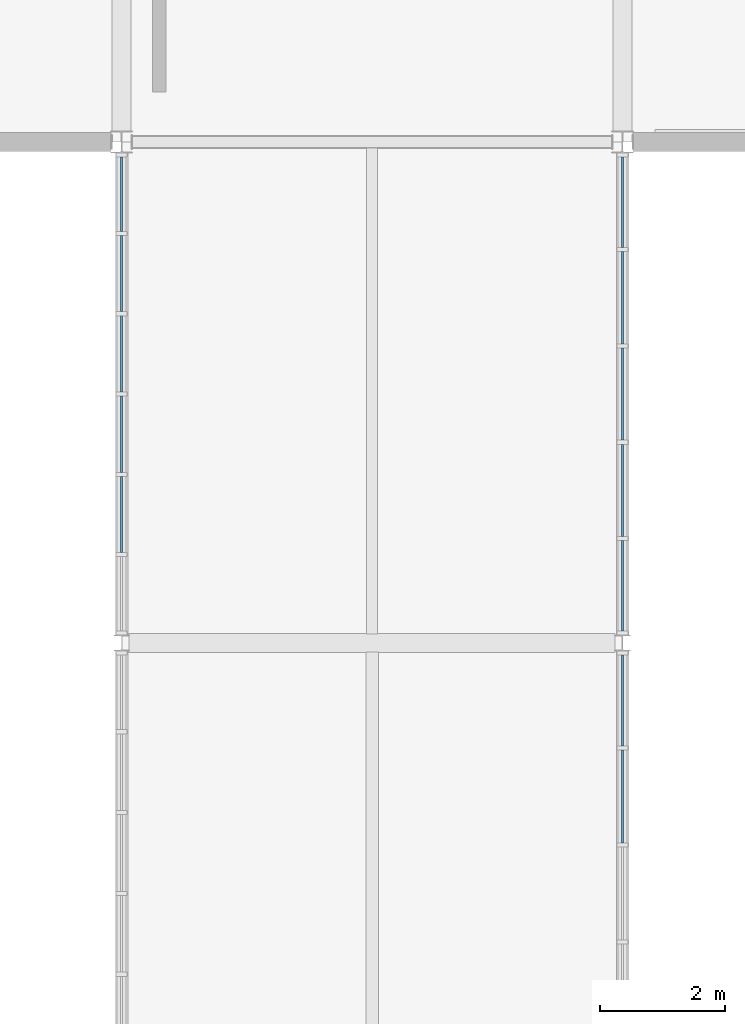
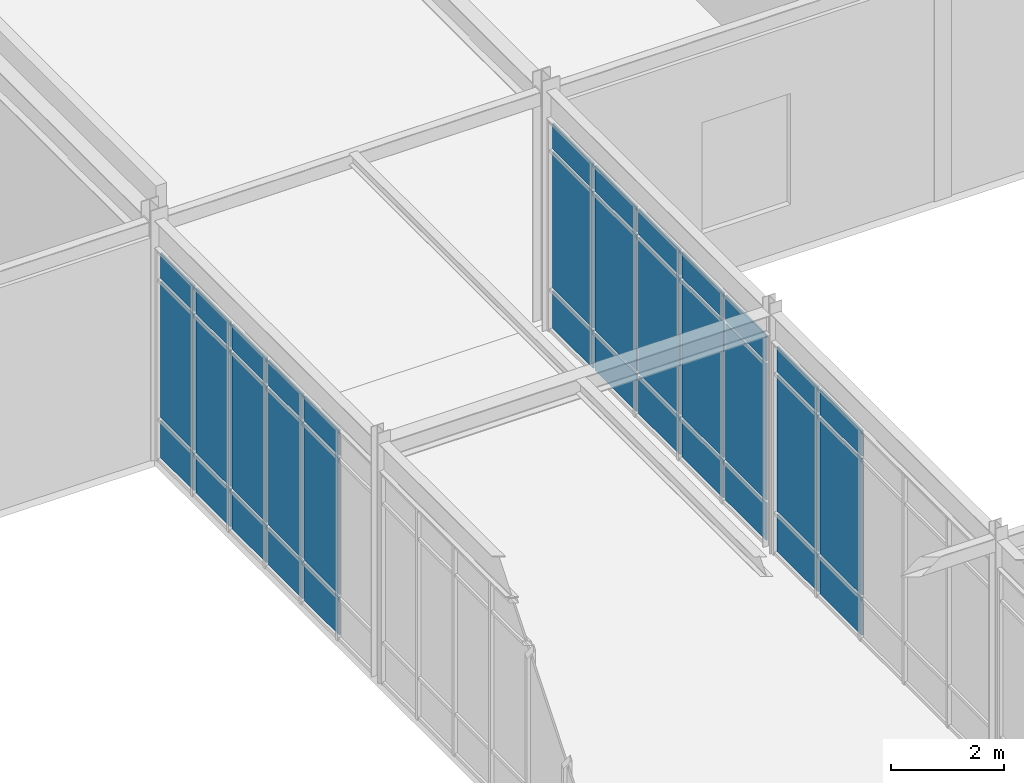
# One storey, part 95 of 184: 36 plates, 3 elements without a shape of their own.
"""IFC4 building model written with IfcOpenShell, lengths in metres."""

import ifcopenshell
import ifcopenshell.guid

model = None  # the IFC model being written
_history = None  # IfcOwnerHistory: only IFC2X3 demands one
_inside = {}  # id of a spatial element -> (the spatial element, [elements in it])
_under = {}  # id of a project, library or spatial element -> (it, [spatial elements below it])
_declared = {}  # id of a project -> (the project, [libraries it declares])
_typed = {}  # id of a type object -> (the type object, [elements of that type])
_made_of = {}  # id of a material, layer set ... -> (it, [elements and type objects made of it])


def new_model(schema):
    """Start an empty IFC model of exactly this schema.

    Asked for "IFC4X3", IfcOpenShell would pick the latest addendum, in which some entities
    have other attributes; the version numbers below select the first issue.
    IFC2X3 requires an IfcOwnerHistory on every rooted entity: one is made here for all.
    """
    global model, _history
    if schema == "IFC4X3":
        model = ifcopenshell.file(schema_version=(4, 3, 0, 0))
    else:
        model = ifcopenshell.file(schema=schema)
    _inside.clear()
    _under.clear()
    _declared.clear()
    _typed.clear()
    _made_of.clear()
    _history = None
    if model.schema == "IFC2X3":
        org = make("IfcOrganization", Name="unknown")
        user = make(
            "IfcPersonAndOrganization",
            ThePerson=make("IfcPerson", FamilyName="unknown"),
            TheOrganization=org,
        )
        app = make(
            "IfcApplication",
            ApplicationDeveloper=org,
            Version="unknown",
            ApplicationFullName="unknown",
            ApplicationIdentifier="unknown",
        )
        _history = make(
            "IfcOwnerHistory",
            OwningUser=user,
            OwningApplication=app,
            ChangeAction="ADDED",
            CreationDate=0,
        )
    return model


def make(cls, **values):
    """One entity of the class cls with the attributes given. An attribute that is None is left unset."""
    return model.create_entity(
        cls, **{name: value for name, value in values.items() if value is not None}
    )


def rooted(cls, **values):
    """An entity with a GlobalId (a new one), such as an element, a storey or a relation."""
    return make(cls, GlobalId=ifcopenshell.guid.new(), OwnerHistory=_history, **values)


def si_unit(unit_type, name, prefix=None):
    """IfcSIUnit, for example si_unit("LENGTHUNIT", "METRE", prefix="MILLI")."""
    return make("IfcSIUnit", UnitType=unit_type, Prefix=prefix, Name=name)


def assignment(units):
    """IfcUnitAssignment: the units of a project."""
    return None if units is None else make("IfcUnitAssignment", Units=units)


def point(xyz):
    """IfcCartesianPoint."""
    return None if xyz is None else make("IfcCartesianPoint", Coordinates=xyz)


def direction(xyz):
    """IfcDirection."""
    return None if xyz is None else make("IfcDirection", DirectionRatios=xyz)


def frame(location, z_axis=None, x_axis=None):
    """IfcAxis2Placement3D, a coordinate frame: its origin and axes. An axis left out is left unset."""
    return make(
        "IfcAxis2Placement3D",
        Location=point(location),
        Axis=direction(z_axis),
        RefDirection=direction(x_axis),
    )


def frame_2d(location, x_axis=None):
    """IfcAxis2Placement2D, a coordinate frame in the plane: its origin and x axis."""
    return make(
        "IfcAxis2Placement2D", Location=point(location), RefDirection=direction(x_axis)
    )


def origin():
    """The frame at (0, 0, 0) with its axes left unset."""
    return frame((0.0, 0.0, 0.0))


def origin_2d():
    """The frame at (0, 0) in the plane with its x axis left unset."""
    return frame_2d((0.0, 0.0))


def place(relative_to, where):
    """IfcLocalPlacement: puts the frame where relative to a parent placement (None: the world)."""
    return make(
        "IfcLocalPlacement", PlacementRelTo=relative_to, RelativePlacement=where
    )


def context(
    kind, dimensions, precision=None, world=None, true_north=None, identifier=None
):
    """IfcGeometricRepresentationContext, for example the 3D "Model" context."""
    return make(
        "IfcGeometricRepresentationContext",
        ContextIdentifier=identifier,
        ContextType=kind,
        CoordinateSpaceDimension=dimensions,
        Precision=precision,
        WorldCoordinateSystem=world,
        TrueNorth=true_north,
    )


def subcontext(parent, identifier, kind, view, scale=None):
    """IfcGeometricRepresentationSubContext, for example "Body" below "Model"."""
    return make(
        "IfcGeometricRepresentationSubContext",
        ContextIdentifier=identifier,
        ContextType=kind,
        ParentContext=parent,
        TargetScale=scale,
        TargetView=view,
    )


def project(units=None, contexts=None):
    """IfcProject with its units and contexts."""
    return rooted(
        "IfcProject",
        Name="project",
        RepresentationContexts=contexts,
        UnitsInContext=assignment(units),
    )


def spatial(cls, under=None, at=None, **own):
    """A site, building, storey or space (cls), placed at a placement, below another one or the project."""
    s = rooted(cls, ObjectPlacement=at, **own)
    if under is not None:
        _under.setdefault(under.id(), (under, []))[1].append(s)
    return s


def profile(cls, at=None, kind="AREA", **sizes):
    """A parametric profile (cls). Its sizes go by their IFC names, for example OverallWidth=200.0."""
    return make(cls, ProfileType=kind, Position=at, **sizes)


def rectangle(**sizes):
    """IfcRectangleProfileDef."""
    return profile("IfcRectangleProfileDef", **sizes)


def extrude(swept, where, along, depth):
    """IfcExtrudedAreaSolid: the profile swept, set in the frame where, extruded along a direction by depth."""
    return make(
        "IfcExtrudedAreaSolid",
        SweptArea=swept,
        Position=where,
        ExtrudedDirection=direction(along),
        Depth=depth,
    )


def shape(context_of_items, identifier, shape_type, items):
    """IfcShapeRepresentation: the items that make up one representation, for example the "Body"."""
    return make(
        "IfcShapeRepresentation",
        ContextOfItems=context_of_items,
        RepresentationIdentifier=identifier,
        RepresentationType=shape_type,
        Items=items,
    )


def material(Name=None, Category=None):
    """IfcMaterial."""
    return make("IfcMaterial", Name=Name, Category=Category)


def layer(
    of_material, thickness, ventilated=None, Name=None, Category=None, Priority=None
):
    """IfcMaterialLayer: one layer of a wall or slab, of a material (None: an air gap)."""
    return make(
        "IfcMaterialLayer",
        Material=of_material,
        LayerThickness=thickness,
        IsVentilated=ventilated,
        Name=Name,
        Category=Category,
        Priority=Priority,
    )


def layer_set(layers, Name=None):
    """IfcMaterialLayerSet."""
    return make("IfcMaterialLayerSet", MaterialLayers=layers, LayerSetName=Name)


def made_of(thing, what):
    """Note that an element or type object is made of a material, layer set ...; save() writes the relation."""
    if what is not None:
        _made_of.setdefault(what.id(), (what, []))[1].append(thing)
    return thing


def type_object(cls, material=None, **own):
    """A type object (cls), such as IfcWallType, which elements share."""
    return made_of(rooted(cls, **own), material)


def element(
    cls,
    number,
    at=None,
    inside=None,
    cuts=None,
    type_object=None,
    material=None,
    context=None,
    identifier="Body",
    shape_type=None,
    held_by="IfcProductDefinitionShape",
    body=None,
    shapes=None,
    **own,
):
    """One element of the class cls, such as IfcWall. Its Tag is "e" and its number.

    at: its placement. inside: the storey or other place that contains it. cuts: it is an
    opening in that element (IfcRelVoidsElement). A single representation is given by context,
    identifier, shape_type and body (its items); several are given by shapes. held_by: the class
    of the entity that holds the representations. save() writes the other relations.
    """
    e = rooted(cls, Tag="e%d" % number, ObjectPlacement=at, **own)
    if body is not None:
        shapes = [shape(context, identifier, shape_type, body)]
    if shapes is not None:
        e.Representation = make(held_by, Representations=shapes)
    if inside is not None:
        _inside.setdefault(inside.id(), (inside, []))[1].append(e)
    if cuts is not None:
        rooted(
            "IfcRelVoidsElement", RelatingBuildingElement=cuts, RelatedOpeningElement=e
        )
    if type_object is not None:
        _typed.setdefault(type_object.id(), (type_object, []))[1].append(e)
    return made_of(e, material)


def aggregate(whole, parts):
    """IfcRelAggregates: a whole, such as a stair, and the parts it consists of."""
    return rooted("IfcRelAggregates", RelatingObject=whole, RelatedObjects=parts)


def save(model, path):
    """Write the relations noted so far, then the file.

    IfcRelAggregates (storeys below a building ...), IfcRelContainedInSpatialStructure (elements
    in a storey), IfcRelDefinesByType, IfcRelAssociatesMaterial and IfcRelDeclares: one each for
    every whole, place, type object, material and project.
    """
    for whole, parts in _under.values():
        aggregate(whole, parts)
    for where, things in _inside.values():
        rooted(
            "IfcRelContainedInSpatialStructure",
            RelatedElements=things,
            RelatingStructure=where,
        )
    for kind, things in _typed.values():
        rooted("IfcRelDefinesByType", RelatedObjects=things, RelatingType=kind)
    for what, things in _made_of.values():
        rooted("IfcRelAssociatesMaterial", RelatedObjects=things, RelatingMaterial=what)
    for by, libraries in _declared.values():
        rooted("IfcRelDeclares", RelatingContext=by, RelatedDefinitions=libraries)
    model.write(path)


model = new_model("IFC4")

# Units and contexts
model_context = context("Model", 3, precision=1e-05, world=origin(), true_north=direction((0.0, 1.0)))
body_context = subcontext(model_context, "Body", "Model", "MODEL_VIEW")
ifc_project = project(units=[si_unit("LENGTHUNIT", "METRE"), si_unit("AREAUNIT", "SQUARE_METRE"), si_unit("VOLUMEUNIT", "CUBIC_METRE"), si_unit("PLANEANGLEUNIT", "RADIAN"), si_unit("MASSUNIT", "GRAM", prefix="KILO")], contexts=[model_context])

# Site, building, storey
site_placement = place(None, origin())
site = spatial("IfcSite", under=ifc_project, at=site_placement, CompositionType="ELEMENT")
building_placement = place(site_placement, origin())
building = spatial("IfcBuilding", under=site, at=building_placement, Name="Zhaolan Boulevard Law Courts", CompositionType="ELEMENT")
storey_placement = place(building_placement, frame((0.0, 0.0, 5.39990234375)))
storey = spatial("IfcBuildingStorey", under=building, at=storey_placement, Name="L01", CompositionType="ELEMENT", Elevation=5.39990234375)

# Curtain wall, plates
ifc_material_1 = material(Name="Thermally broken aluminium and low-E glazing", Category="aluminium")
curtain_wall_type_1 = type_object("IfcCurtainWallType", Name="CURTAIN WALL M5", PredefinedType="USERDEFINED", material=ifc_material_1)
curtain_wall_1_placement = place(storey_placement, origin())
curtain_wall_1 = element("IfcCurtainWall", 1, at=curtain_wall_1_placement, inside=storey, type_object=curtain_wall_type_1, Name="Curtain Wall CW-L01-077", ObjectType="CURTAIN WALL", PredefinedType="USERDEFINED")
ifc_material_2 = material(Name="Acoustic laminated low-E glazing", Category="glass")
ifc_layer = layer(ifc_material_2, 0.031982421875)
ifc_layer_set = layer_set([ifc_layer])
plate_type = type_object("IfcPlateType", Name="CWPANEL LOW E32", PredefinedType="CURTAIN_PANEL", material=ifc_layer_set)
plate_1_placement = place(storey_placement, frame((116.0, 61.16552734375, 0.06494140625), z_axis=(0.0, 0.0, 1.0), x_axis=(0.0, -1.0, 0.0)))
plate_1 = element("IfcPlate", 2, at=plate_1_placement, type_object=plate_type, Name="CW-L01-077 panel 1.1", PredefinedType="CURTAIN_PANEL", context=body_context, shape_type="SweptSolid", body=[
    extrude(rectangle(XDim=1.18505859375, YDim=0.031982421875, at=origin_2d()), origin(), (0.0, 0.0, 1.0), 0.802490234375),
])
plate_2_placement = place(storey_placement, frame((116.0, 61.16552734375, 0.9326171875), z_axis=(0.0, 0.0, 1.0), x_axis=(0.0, -1.0, 0.0)))
plate_2 = element("IfcPlate", 3, at=plate_2_placement, type_object=plate_type, Name="CW-L01-077 panel 1.2", PredefinedType="CURTAIN_PANEL", context=body_context, shape_type="SweptSolid", body=[
    extrude(rectangle(XDim=1.18505859375, YDim=0.031982421875, at=origin_2d()), origin(), (0.0, 0.0, 1.0), 2.93798828125),
])
plate_3_placement = place(storey_placement, frame((116.0, 61.16552734375, 3.935546875), z_axis=(0.0, 0.0, 1.0), x_axis=(0.0, -1.0, 0.0)))
plate_3 = element("IfcPlate", 4, at=plate_3_placement, type_object=plate_type, Name="CW-L01-077 panel 1.3", PredefinedType="CURTAIN_PANEL", context=body_context, shape_type="SweptSolid", body=[
    extrude(rectangle(XDim=1.18505859375, YDim=0.031982421875, at=origin_2d()), origin(), (0.0, 0.0, 1.0), 0.552490234375),
])
plate_4_placement = place(storey_placement, frame((116.0, 59.89892578125, 0.06494140625), z_axis=(0.0, 0.0, 1.0), x_axis=(0.0, -1.0, 0.0)))
plate_4 = element("IfcPlate", 5, at=plate_4_placement, type_object=plate_type, Name="CW-L01-077 panel 2.1", PredefinedType="CURTAIN_PANEL", context=body_context, shape_type="SweptSolid", body=[
    extrude(rectangle(XDim=1.2177734375, YDim=0.031982421875, at=origin_2d()), origin(), (0.0, 0.0, 1.0), 0.802490234375),
])
plate_5_placement = place(storey_placement, frame((116.0, 59.89892578125, 0.9326171875), z_axis=(0.0, 0.0, 1.0), x_axis=(0.0, -1.0, 0.0)))
plate_5 = element("IfcPlate", 6, at=plate_5_placement, type_object=plate_type, Name="CW-L01-077 panel 2.2", PredefinedType="CURTAIN_PANEL", context=body_context, shape_type="SweptSolid", body=[
    extrude(rectangle(XDim=1.2177734375, YDim=0.031982421875, at=origin_2d()), origin(), (0.0, 0.0, 1.0), 2.93798828125),
])
plate_6_placement = place(storey_placement, frame((116.0, 59.89892578125, 3.935546875), z_axis=(0.0, 0.0, 1.0), x_axis=(0.0, -1.0, 0.0)))
plate_6 = element("IfcPlate", 7, at=plate_6_placement, type_object=plate_type, Name="CW-L01-077 panel 2.3", PredefinedType="CURTAIN_PANEL", context=body_context, shape_type="SweptSolid", body=[
    extrude(rectangle(XDim=1.2177734375, YDim=0.031982421875, at=origin_2d()), origin(), (0.0, 0.0, 1.0), 0.552490234375),
])
plate_7_placement = place(storey_placement, frame((116.0, 58.616455078125, 0.06494140625), z_axis=(0.0, 0.0, 1.0), x_axis=(0.0, -1.0, 0.0)))
plate_7 = element("IfcPlate", 8, at=plate_7_placement, type_object=plate_type, Name="CW-L01-077 panel 3.1", PredefinedType="CURTAIN_PANEL", context=body_context, shape_type="SweptSolid", body=[
    extrude(rectangle(XDim=1.2177734375, YDim=0.031982421875, at=origin_2d()), origin(), (0.0, 0.0, 1.0), 0.802490234375),
])
plate_8_placement = place(storey_placement, frame((116.0, 58.616455078125, 0.9326171875), z_axis=(0.0, 0.0, 1.0), x_axis=(0.0, -1.0, 0.0)))
plate_8 = element("IfcPlate", 9, at=plate_8_placement, type_object=plate_type, Name="CW-L01-077 panel 3.2", PredefinedType="CURTAIN_PANEL", context=body_context, shape_type="SweptSolid", body=[
    extrude(rectangle(XDim=1.2177734375, YDim=0.031982421875, at=origin_2d()), origin(), (0.0, 0.0, 1.0), 2.93798828125),
])
plate_9_placement = place(storey_placement, frame((116.0, 58.616455078125, 3.935546875), z_axis=(0.0, 0.0, 1.0), x_axis=(0.0, -1.0, 0.0)))
plate_9 = element("IfcPlate", 10, at=plate_9_placement, type_object=plate_type, Name="CW-L01-077 panel 3.3", PredefinedType="CURTAIN_PANEL", context=body_context, shape_type="SweptSolid", body=[
    extrude(rectangle(XDim=1.2177734375, YDim=0.031982421875, at=origin_2d()), origin(), (0.0, 0.0, 1.0), 0.552490234375),
])
plate_10_placement = place(storey_placement, frame((116.0, 57.333740234375, 0.06494140625), z_axis=(0.0, 0.0, 1.0), x_axis=(0.0, -1.0, 0.0)))
plate_10 = element("IfcPlate", 11, at=plate_10_placement, type_object=plate_type, Name="CW-L01-077 panel 4.1", PredefinedType="CURTAIN_PANEL", context=body_context, shape_type="SweptSolid", body=[
    extrude(rectangle(XDim=1.2177734375, YDim=0.031982421875, at=origin_2d()), origin(), (0.0, 0.0, 1.0), 0.802490234375),
])
plate_11_placement = place(storey_placement, frame((116.0, 57.333740234375, 0.9326171875), z_axis=(0.0, 0.0, 1.0), x_axis=(0.0, -1.0, 0.0)))
plate_11 = element("IfcPlate", 12, at=plate_11_placement, type_object=plate_type, Name="CW-L01-077 panel 4.2", PredefinedType="CURTAIN_PANEL", context=body_context, shape_type="SweptSolid", body=[
    extrude(rectangle(XDim=1.2177734375, YDim=0.031982421875, at=origin_2d()), origin(), (0.0, 0.0, 1.0), 2.93798828125),
])
plate_12_placement = place(storey_placement, frame((116.0, 57.333740234375, 3.935546875), z_axis=(0.0, 0.0, 1.0), x_axis=(0.0, -1.0, 0.0)))
plate_12 = element("IfcPlate", 13, at=plate_12_placement, type_object=plate_type, Name="CW-L01-077 panel 4.3", PredefinedType="CURTAIN_PANEL", context=body_context, shape_type="SweptSolid", body=[
    extrude(rectangle(XDim=1.2177734375, YDim=0.031982421875, at=origin_2d()), origin(), (0.0, 0.0, 1.0), 0.552490234375),
])
plate_13_placement = place(storey_placement, frame((116.0, 56.051025390625, 0.06494140625), z_axis=(0.0, 0.0, 1.0), x_axis=(0.0, -1.0, 0.0)))
plate_13 = element("IfcPlate", 14, at=plate_13_placement, type_object=plate_type, Name="CW-L01-077 panel 5.1", PredefinedType="CURTAIN_PANEL", context=body_context, shape_type="SweptSolid", body=[
    extrude(rectangle(XDim=1.2177734375, YDim=0.031982421875, at=origin_2d()), origin(), (0.0, 0.0, 1.0), 0.802490234375),
])
plate_14_placement = place(storey_placement, frame((116.0, 56.051025390625, 0.9326171875), z_axis=(0.0, 0.0, 1.0), x_axis=(0.0, -1.0, 0.0)))
plate_14 = element("IfcPlate", 15, at=plate_14_placement, type_object=plate_type, Name="CW-L01-077 panel 5.2", PredefinedType="CURTAIN_PANEL", context=body_context, shape_type="SweptSolid", body=[
    extrude(rectangle(XDim=1.2177734375, YDim=0.031982421875, at=origin_2d()), origin(), (0.0, 0.0, 1.0), 2.93798828125),
])
plate_15_placement = place(storey_placement, frame((116.0, 56.051025390625, 3.935546875), z_axis=(0.0, 0.0, 1.0), x_axis=(0.0, -1.0, 0.0)))
plate_15 = element("IfcPlate", 16, at=plate_15_placement, type_object=plate_type, Name="CW-L01-077 panel 5.3", PredefinedType="CURTAIN_PANEL", context=body_context, shape_type="SweptSolid", body=[
    extrude(rectangle(XDim=1.2177734375, YDim=0.031982421875, at=origin_2d()), origin(), (0.0, 0.0, 1.0), 0.552490234375),
])
aggregate(curtain_wall_1, [plate_1, plate_2, plate_3, plate_4, plate_5, plate_6, plate_7, plate_8, plate_9, plate_10, plate_11, plate_12, plate_13, plate_14, plate_15])

ifc_material_3 = material(Name="Thermally broken aluminium and low-E glazing", Category="aluminium")
curtain_wall_type_2 = type_object("IfcCurtainWallType", Name="CURTAIN WALL M8", PredefinedType="USERDEFINED", material=ifc_material_3)
curtain_wall_2_placement = place(storey_placement, origin())
curtain_wall_2 = element("IfcCurtainWall", 17, at=curtain_wall_2_placement, inside=storey, type_object=curtain_wall_type_2, Name="Curtain Wall CW-L01-080", ObjectType="CURTAIN WALL", PredefinedType="USERDEFINED")
plate_16_placement = place(storey_placement, frame((124.0, 51.54931640625, 0.06494140625), z_axis=(0.0, 0.0, 1.0), x_axis=(0.0, 1.0, 0.0)))
plate_16 = element("IfcPlate", 18, at=plate_16_placement, type_object=plate_type, Name="CW-L01-080 panel 4.1", PredefinedType="CURTAIN_PANEL", context=body_context, shape_type="SweptSolid", body=[
    extrude(rectangle(XDim=1.484130859375, YDim=0.031982421875, at=origin_2d()), origin(), (0.0, 0.0, 1.0), 0.802490234375),
])
plate_17_placement = place(storey_placement, frame((124.0, 51.54931640625, 0.9326171875), z_axis=(0.0, 0.0, 1.0), x_axis=(0.0, 1.0, 0.0)))
plate_17 = element("IfcPlate", 19, at=plate_17_placement, type_object=plate_type, Name="CW-L01-080 panel 4.2", PredefinedType="CURTAIN_PANEL", context=body_context, shape_type="SweptSolid", body=[
    extrude(rectangle(XDim=1.484130859375, YDim=0.031982421875, at=origin_2d()), origin(), (0.0, 0.0, 1.0), 2.93798828125),
])
plate_18_placement = place(storey_placement, frame((124.0, 51.54931640625, 3.935546875), z_axis=(0.0, 0.0, 1.0), x_axis=(0.0, 1.0, 0.0)))
plate_18 = element("IfcPlate", 20, at=plate_18_placement, type_object=plate_type, Name="CW-L01-080 panel 4.3", PredefinedType="CURTAIN_PANEL", context=body_context, shape_type="SweptSolid", body=[
    extrude(rectangle(XDim=1.484130859375, YDim=0.031982421875, at=origin_2d()), origin(), (0.0, 0.0, 1.0), 0.552490234375),
])
plate_19_placement = place(storey_placement, frame((124.0, 53.08203125, 0.06494140625), z_axis=(0.0, 0.0, 1.0), x_axis=(0.0, 1.0, 0.0)))
plate_19 = element("IfcPlate", 21, at=plate_19_placement, type_object=plate_type, Name="CW-L01-080 panel 5.1", PredefinedType="CURTAIN_PANEL", context=body_context, shape_type="SweptSolid", body=[
    extrude(rectangle(XDim=1.45166015625, YDim=0.031982421875, at=origin_2d()), origin(), (0.0, 0.0, 1.0), 0.802490234375),
])
plate_20_placement = place(storey_placement, frame((124.0, 53.08203125, 0.9326171875), z_axis=(0.0, 0.0, 1.0), x_axis=(0.0, 1.0, 0.0)))
plate_20 = element("IfcPlate", 22, at=plate_20_placement, type_object=plate_type, Name="CW-L01-080 panel 5.2", PredefinedType="CURTAIN_PANEL", context=body_context, shape_type="SweptSolid", body=[
    extrude(rectangle(XDim=1.45166015625, YDim=0.031982421875, at=origin_2d()), origin(), (0.0, 0.0, 1.0), 2.93798828125),
])
plate_21_placement = place(storey_placement, frame((124.0, 53.08203125, 3.935546875), z_axis=(0.0, 0.0, 1.0), x_axis=(0.0, 1.0, 0.0)))
plate_21 = element("IfcPlate", 23, at=plate_21_placement, type_object=plate_type, Name="CW-L01-080 panel 5.3", PredefinedType="CURTAIN_PANEL", context=body_context, shape_type="SweptSolid", body=[
    extrude(rectangle(XDim=1.45166015625, YDim=0.031982421875, at=origin_2d()), origin(), (0.0, 0.0, 1.0), 0.552490234375),
])
aggregate(curtain_wall_2, [plate_16, plate_17, plate_18, plate_19, plate_20, plate_21])

ifc_material_4 = material(Name="Thermally broken aluminium and low-E glazing", Category="aluminium")
curtain_wall_type_3 = type_object("IfcCurtainWallType", Name="CURTAIN WALL M9", PredefinedType="USERDEFINED", material=ifc_material_4)
curtain_wall_3_placement = place(storey_placement, origin())
curtain_wall_3 = element("IfcCurtainWall", 24, at=curtain_wall_3_placement, inside=storey, type_object=curtain_wall_type_3, Name="Curtain Wall CW-L01-081", ObjectType="CURTAIN WALL", PredefinedType="USERDEFINED")
plate_22_placement = place(storey_placement, frame((124.0, 54.912841796875, 0.06494140625), z_axis=(0.0, 0.0, 1.0), x_axis=(0.0, 1.0, 0.0)))
plate_22 = element("IfcPlate", 25, at=plate_22_placement, type_object=plate_type, Name="CW-L01-081 panel 1.1", PredefinedType="CURTAIN_PANEL", context=body_context, shape_type="SweptSolid", body=[
    extrude(rectangle(XDim=1.441650390625, YDim=0.031982421875, at=origin_2d()), origin(), (0.0, 0.0, 1.0), 0.802490234375),
])
plate_23_placement = place(storey_placement, frame((124.0, 54.912841796875, 0.9326171875), z_axis=(0.0, 0.0, 1.0), x_axis=(0.0, 1.0, 0.0)))
plate_23 = element("IfcPlate", 26, at=plate_23_placement, type_object=plate_type, Name="CW-L01-081 panel 1.2", PredefinedType="CURTAIN_PANEL", context=body_context, shape_type="SweptSolid", body=[
    extrude(rectangle(XDim=1.441650390625, YDim=0.031982421875, at=origin_2d()), origin(), (0.0, 0.0, 1.0), 2.93798828125),
])
plate_24_placement = place(storey_placement, frame((124.0, 54.912841796875, 3.935546875), z_axis=(0.0, 0.0, 1.0), x_axis=(0.0, 1.0, 0.0)))
plate_24 = element("IfcPlate", 27, at=plate_24_placement, type_object=plate_type, Name="CW-L01-081 panel 1.3", PredefinedType="CURTAIN_PANEL", context=body_context, shape_type="SweptSolid", body=[
    extrude(rectangle(XDim=1.441650390625, YDim=0.031982421875, at=origin_2d()), origin(), (0.0, 0.0, 1.0), 0.552490234375),
])
plate_25_placement = place(storey_placement, frame((124.0, 56.435791015625, 0.06494140625), z_axis=(0.0, 0.0, 1.0), x_axis=(0.0, 1.0, 0.0)))
plate_25 = element("IfcPlate", 28, at=plate_25_placement, type_object=plate_type, Name="CW-L01-081 panel 2.1", PredefinedType="CURTAIN_PANEL", context=body_context, shape_type="SweptSolid", body=[
    extrude(rectangle(XDim=1.47412109375, YDim=0.031982421875, at=origin_2d()), origin(), (0.0, 0.0, 1.0), 0.802490234375),
])
plate_26_placement = place(storey_placement, frame((124.0, 56.435791015625, 0.9326171875), z_axis=(0.0, 0.0, 1.0), x_axis=(0.0, 1.0, 0.0)))
plate_26 = element("IfcPlate", 29, at=plate_26_placement, type_object=plate_type, Name="CW-L01-081 panel 2.2", PredefinedType="CURTAIN_PANEL", context=body_context, shape_type="SweptSolid", body=[
    extrude(rectangle(XDim=1.47412109375, YDim=0.031982421875, at=origin_2d()), origin(), (0.0, 0.0, 1.0), 2.93798828125),
])
plate_27_placement = place(storey_placement, frame((124.0, 56.435791015625, 3.935546875), z_axis=(0.0, 0.0, 1.0), x_axis=(0.0, 1.0, 0.0)))
plate_27 = element("IfcPlate", 30, at=plate_27_placement, type_object=plate_type, Name="CW-L01-081 panel 2.3", PredefinedType="CURTAIN_PANEL", context=body_context, shape_type="SweptSolid", body=[
    extrude(rectangle(XDim=1.47412109375, YDim=0.031982421875, at=origin_2d()), origin(), (0.0, 0.0, 1.0), 0.552490234375),
])
plate_28_placement = place(storey_placement, frame((124.0, 57.97509765625, 0.06494140625), z_axis=(0.0, 0.0, 1.0), x_axis=(0.0, 1.0, 0.0)))
plate_28 = element("IfcPlate", 31, at=plate_28_placement, type_object=plate_type, Name="CW-L01-081 panel 3.1", PredefinedType="CURTAIN_PANEL", context=body_context, shape_type="SweptSolid", body=[
    extrude(rectangle(XDim=1.47412109375, YDim=0.031982421875, at=origin_2d()), origin(), (0.0, 0.0, 1.0), 0.802490234375),
])
plate_29_placement = place(storey_placement, frame((124.0, 57.97509765625, 0.9326171875), z_axis=(0.0, 0.0, 1.0), x_axis=(0.0, 1.0, 0.0)))
plate_29 = element("IfcPlate", 32, at=plate_29_placement, type_object=plate_type, Name="CW-L01-081 panel 3.2", PredefinedType="CURTAIN_PANEL", context=body_context, shape_type="SweptSolid", body=[
    extrude(rectangle(XDim=1.47412109375, YDim=0.031982421875, at=origin_2d()), origin(), (0.0, 0.0, 1.0), 2.93798828125),
])
plate_30_placement = place(storey_placement, frame((124.0, 57.97509765625, 3.935546875), z_axis=(0.0, 0.0, 1.0), x_axis=(0.0, 1.0, 0.0)))
plate_30 = element("IfcPlate", 33, at=plate_30_placement, type_object=plate_type, Name="CW-L01-081 panel 3.3", PredefinedType="CURTAIN_PANEL", context=body_context, shape_type="SweptSolid", body=[
    extrude(rectangle(XDim=1.47412109375, YDim=0.031982421875, at=origin_2d()), origin(), (0.0, 0.0, 1.0), 0.552490234375),
])
plate_31_placement = place(storey_placement, frame((124.0, 59.51416015625, 0.06494140625), z_axis=(0.0, 0.0, 1.0), x_axis=(0.0, 1.0, 0.0)))
plate_31 = element("IfcPlate", 34, at=plate_31_placement, type_object=plate_type, Name="CW-L01-081 panel 4.1", PredefinedType="CURTAIN_PANEL", context=body_context, shape_type="SweptSolid", body=[
    extrude(rectangle(XDim=1.47412109375, YDim=0.031982421875, at=origin_2d()), origin(), (0.0, 0.0, 1.0), 0.802490234375),
])
plate_32_placement = place(storey_placement, frame((124.0, 59.51416015625, 0.9326171875), z_axis=(0.0, 0.0, 1.0), x_axis=(0.0, 1.0, 0.0)))
plate_32 = element("IfcPlate", 35, at=plate_32_placement, type_object=plate_type, Name="CW-L01-081 panel 4.2", PredefinedType="CURTAIN_PANEL", context=body_context, shape_type="SweptSolid", body=[
    extrude(rectangle(XDim=1.47412109375, YDim=0.031982421875, at=origin_2d()), origin(), (0.0, 0.0, 1.0), 2.93798828125),
])
plate_33_placement = place(storey_placement, frame((124.0, 59.51416015625, 3.935546875), z_axis=(0.0, 0.0, 1.0), x_axis=(0.0, 1.0, 0.0)))
plate_33 = element("IfcPlate", 36, at=plate_33_placement, type_object=plate_type, Name="CW-L01-081 panel 4.3", PredefinedType="CURTAIN_PANEL", context=body_context, shape_type="SweptSolid", body=[
    extrude(rectangle(XDim=1.47412109375, YDim=0.031982421875, at=origin_2d()), origin(), (0.0, 0.0, 1.0), 0.552490234375),
])
plate_34_placement = place(storey_placement, frame((124.0, 61.037109375, 0.06494140625), z_axis=(0.0, 0.0, 1.0), x_axis=(0.0, 1.0, 0.0)))
plate_34 = element("IfcPlate", 37, at=plate_34_placement, type_object=plate_type, Name="CW-L01-081 panel 5.1", PredefinedType="CURTAIN_PANEL", context=body_context, shape_type="SweptSolid", body=[
    extrude(rectangle(XDim=1.441650390625, YDim=0.031982421875, at=origin_2d()), origin(), (0.0, 0.0, 1.0), 0.802490234375),
])
plate_35_placement = place(storey_placement, frame((124.0, 61.037109375, 0.9326171875), z_axis=(0.0, 0.0, 1.0), x_axis=(0.0, 1.0, 0.0)))
plate_35 = element("IfcPlate", 38, at=plate_35_placement, type_object=plate_type, Name="CW-L01-081 panel 5.2", PredefinedType="CURTAIN_PANEL", context=body_context, shape_type="SweptSolid", body=[
    extrude(rectangle(XDim=1.441650390625, YDim=0.031982421875, at=origin_2d()), origin(), (0.0, 0.0, 1.0), 2.93798828125),
])
plate_36_placement = place(storey_placement, frame((124.0, 61.037109375, 3.935546875), z_axis=(0.0, 0.0, 1.0), x_axis=(0.0, 1.0, 0.0)))
plate_36 = element("IfcPlate", 39, at=plate_36_placement, type_object=plate_type, Name="CW-L01-081 panel 5.3", PredefinedType="CURTAIN_PANEL", context=body_context, shape_type="SweptSolid", body=[
    extrude(rectangle(XDim=1.441650390625, YDim=0.031982421875, at=origin_2d()), origin(), (0.0, 0.0, 1.0), 0.552490234375),
])
aggregate(curtain_wall_3, [plate_22, plate_23, plate_24, plate_25, plate_26, plate_27, plate_28, plate_29, plate_30, plate_31, plate_32, plate_33, plate_34, plate_35, plate_36])

save(model, "model.ifc")
